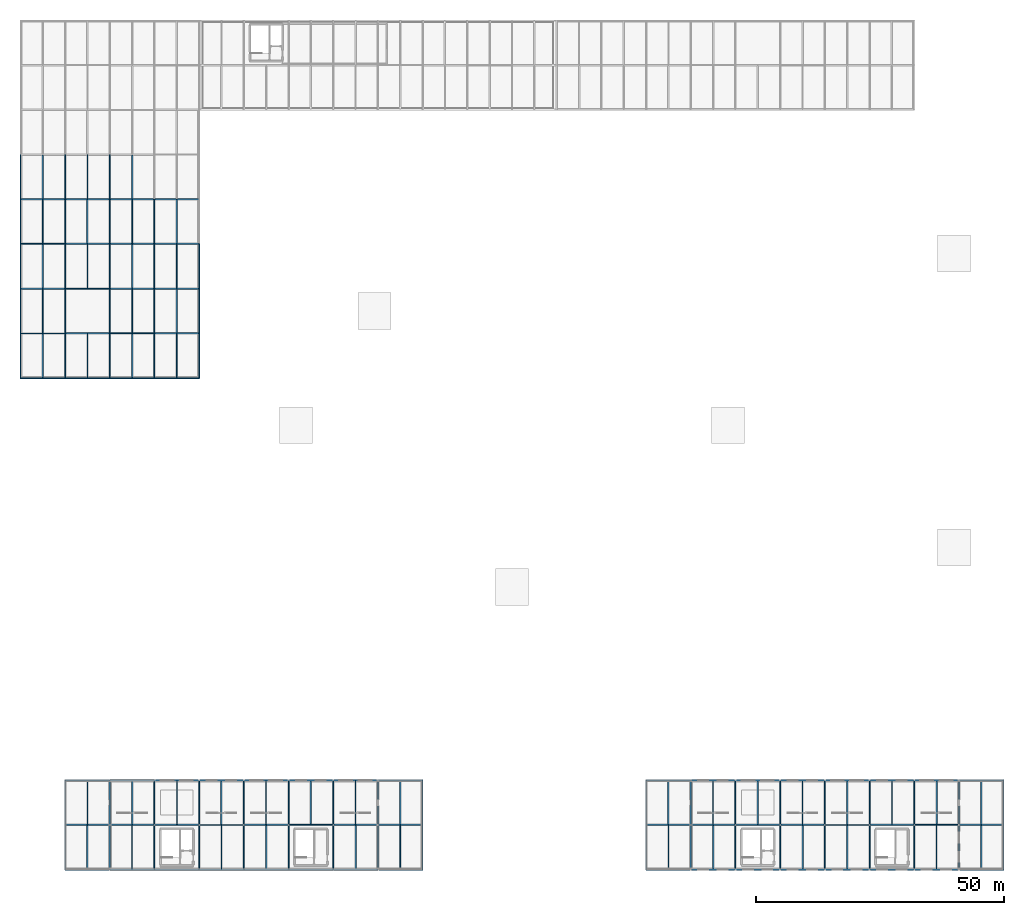
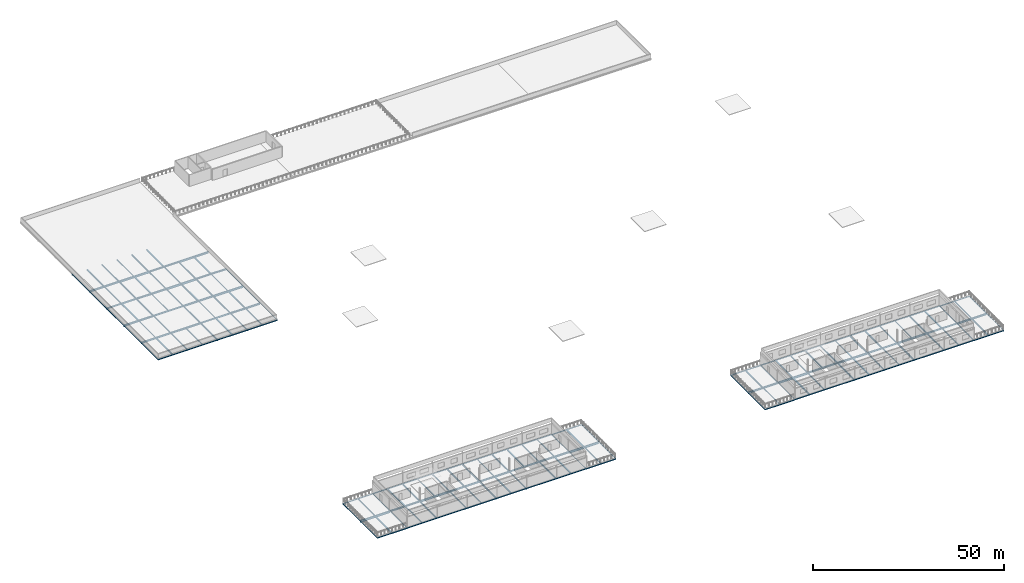
# One storey, part 6 of 18: 172 beams.
"""IFC4 building model written with IfcOpenShell, lengths in metres."""

from ifc_helpers import new_model, si_unit, direction, frame, origin, origin_2d, place, context, subcontext, project, spatial, hollow_rectangle, i_section, extrude, material, material_profile, profile_set, type_object, element, save


model = new_model("IFC4")

# Units and contexts
model_context = context("Model", 3, precision=1e-05, world=origin(), true_north=direction((0.0, 1.0)))
body_context = subcontext(model_context, "Body", "Model", "MODEL_VIEW")
ifc_project = project(units=[si_unit("LENGTHUNIT", "METRE"), si_unit("AREAUNIT", "SQUARE_METRE"), si_unit("VOLUMEUNIT", "CUBIC_METRE"), si_unit("PLANEANGLEUNIT", "RADIAN"), si_unit("MASSUNIT", "GRAM", prefix="KILO")], contexts=[model_context])

# Site, building, storey
site_placement = place(None, origin())
site = spatial("IfcSite", under=ifc_project, at=site_placement, CompositionType="ELEMENT")
building_placement = place(site_placement, origin())
building = spatial("IfcBuilding", under=site, at=building_placement, Name="Kildeholm Park Wholesale Market", CompositionType="ELEMENT")
storey_placement = place(building_placement, frame((0.0, 0.0, 13.5)))
storey = spatial("IfcBuildingStorey", under=building, at=storey_placement, Name="L03", CompositionType="ELEMENT", Elevation=13.5)

# Beams
ifc_material = material(Name="Steel S355", Category="steel")
ifc_material_profile_1 = material_profile(ifc_material, i_section(OverallWidth=0.18994140625, OverallDepth=0.449951171875, WebThickness=0.009521484375, FlangeThickness=0.0146484375, FilletRadius=0.02099609375, at=origin_2d()), Name="IPE 450")
ifc_profile_set_1 = profile_set([ifc_material_profile_1], Name="Steel S355")
beam_type_1 = type_object("IfcBeamType", Name="Beam B-P02 IPE 450", PredefinedType="BEAM", material=ifc_profile_set_1)
for number, where, z_axis, x_axis, name in (
    (1, (9.0, 99.0, -0.5048828125), (0.0, 1.0, 0.0), (-1.0, 0.0, 0.0), "Beam BM-V4-L03-Y-009-099 BM-1188"),
    (2, (9.0, 108.0, -0.5048828125), (0.0, 1.0, 0.0), (-1.0, 0.0, 0.0), "Beam BM-V4-L03-Y-009-108 BM-1191"),
    (3, (9.0, 117.0, -0.5048828125), (0.0, 1.0, 0.0), (-1.0, 0.0, 0.0), "Beam BM-V4-L03-Y-009-117 BM-1193"),
    (4, (9.0, 126.0, -0.5048828125), (0.0, 1.0, 0.0), (-1.0, 0.0, 0.0), "Beam BM-V4-L03-Y-009-126 BM-1196"),
    (5, (9.0, 135.0, -0.5048828125), (0.0, 1.0, 0.0), (-1.0, 0.0, 0.0), "Beam BM-V4-L03-Y-009-135 BM-1199"),
    (6, (18.0, 99.0, -0.5048828125), (0.0, 1.0, 0.0), (-1.0, 0.0, 0.0), "Beam BM-V4-L03-Y-018-099 BM-1212"),
    (7, (18.0, 108.0, -0.5048828125), (0.0, 1.0, 0.0), (-1.0, 0.0, 0.0), "Beam BM-V4-L03-Y-018-108 BM-1215"),
    (8, (18.0, 117.0, -0.5048828125), (0.0, 1.0, 0.0), (-1.0, 0.0, 0.0), "Beam BM-V4-L03-Y-018-117 BM-1218"),
    (9, (18.0, 126.0, -0.5048828125), (0.0, 1.0, 0.0), (-1.0, 0.0, 0.0), "Beam BM-V4-L03-Y-018-126 BM-1221"),
    (10, (18.0, 135.0, -0.5048828125), (0.0, 1.0, 0.0), (-1.0, 0.0, 0.0), "Beam BM-V4-L03-Y-018-135 BM-1224"),
    (11, (27.0, 99.0, -0.5048828125), (0.0, 1.0, 0.0), (-1.0, 0.0, 0.0), "Beam BM-V4-L03-Y-027-099 BM-1237"),
    (12, (27.0, 108.0, -0.5048828125), (0.0, 1.0, 0.0), (-1.0, 0.0, 0.0), "Beam BM-V4-L03-Y-027-108 BM-1240"),
    (13, (27.0, 117.0, -0.5048828125), (0.0, 1.0, 0.0), (-1.0, 0.0, 0.0), "Beam BM-V4-L03-Y-027-117 BM-1243"),
    (14, (27.0, 126.0, -0.5048828125), (0.0, 1.0, 0.0), (-1.0, 0.0, 0.0), "Beam BM-V4-L03-Y-027-126 BM-1246"),
    (15, (27.0, 0.0, -0.465087890625), (0.0, 1.0, 0.0), (-1.0, 0.0, 0.0), "Beam BM-V5W-L03-Y-027-000 BM-1448"),
    (16, (27.0, 9.0, -0.465087890625), (0.0, 1.0, 0.0), (-1.0, 0.0, 0.0), "Beam BM-V5W-L03-Y-027-009 BM-1450"),
    (17, (36.0, 0.0, -0.465087890625), (0.0, 1.0, 0.0), (-1.0, 0.0, 0.0), "Beam BM-V5W-L03-Y-036-000 BM-1454"),
    (18, (36.0, 9.0, -0.465087890625), (0.0, 1.0, 0.0), (-1.0, 0.0, 0.0), "Beam BM-V5W-L03-Y-036-009 BM-1457"),
    (19, (45.0, 0.0, -0.465087890625), (0.0, 1.0, 0.0), (-1.0, 0.0, 0.0), "Beam BM-V5W-L03-Y-045-000 BM-1461"),
    (20, (45.0, 9.0, -0.465087890625), (0.0, 1.0, 0.0), (-1.0, 0.0, 0.0), "Beam BM-V5W-L03-Y-045-009 BM-1464"),
    (21, (54.0, 0.0, -0.465087890625), (0.0, 1.0, 0.0), (-1.0, 0.0, 0.0), "Beam BM-V5W-L03-Y-054-000 BM-1468"),
    (22, (54.0, 9.0, -0.465087890625), (0.0, 1.0, 0.0), (-1.0, 0.0, 0.0), "Beam BM-V5W-L03-Y-054-009 BM-1470"),
    (23, (63.0, 0.0, -0.465087890625), (0.0, 1.0, 0.0), (-1.0, 0.0, 0.0), "Beam BM-V5W-L03-Y-063-000 BM-1474"),
    (24, (63.0, 9.0, -0.465087890625), (0.0, 1.0, 0.0), (-1.0, 0.0, 0.0), "Beam BM-V5W-L03-Y-063-009 BM-1477"),
    (25, (144.0, 0.0, -0.465087890625), (0.0, 1.0, 0.0), (-1.0, 0.0, 0.0), "Beam BM-V5E-L03-Y-144-000 BM-1705"),
    (26, (144.0, 9.0, -0.465087890625), (0.0, 1.0, 0.0), (-1.0, 0.0, 0.0), "Beam BM-V5E-L03-Y-144-009 BM-1707"),
    (27, (153.0, 0.0, -0.465087890625), (0.0, 1.0, 0.0), (-1.0, 0.0, 0.0), "Beam BM-V5E-L03-Y-153-000 BM-1711"),
    (28, (153.0, 9.0, -0.465087890625), (0.0, 1.0, 0.0), (-1.0, 0.0, 0.0), "Beam BM-V5E-L03-Y-153-009 BM-1714"),
    (29, (162.0, 0.0, -0.465087890625), (0.0, 1.0, 0.0), (-1.0, 0.0, 0.0), "Beam BM-V5E-L03-Y-162-000 BM-1718"),
    (30, (162.0, 9.0, -0.465087890625), (0.0, 1.0, 0.0), (-1.0, 0.0, 0.0), "Beam BM-V5E-L03-Y-162-009 BM-1721"),
    (31, (171.0, 0.0, -0.465087890625), (0.0, 1.0, 0.0), (-1.0, 0.0, 0.0), "Beam BM-V5E-L03-Y-171-000 BM-1725"),
    (32, (171.0, 9.0, -0.465087890625), (0.0, 1.0, 0.0), (-1.0, 0.0, 0.0), "Beam BM-V5E-L03-Y-171-009 BM-1727"),
    (33, (180.0, 0.0, -0.465087890625), (0.0, 1.0, 0.0), (-1.0, 0.0, 0.0), "Beam BM-V5E-L03-Y-180-000 BM-1731"),
    (34, (180.0, 9.0, -0.465087890625), (0.0, 1.0, 0.0), (-1.0, 0.0, 0.0), "Beam BM-V5E-L03-Y-180-009 BM-1734"),
):
    element("IfcBeam", number, at=place(storey_placement, frame(where, z_axis=z_axis, x_axis=x_axis)), inside=storey, type_object=beam_type_1, Name=name, PredefinedType="BEAM", context=body_context, shape_type="SweptSolid", body=[
        extrude(i_section(OverallWidth=0.18994140625, OverallDepth=0.449951171875, WebThickness=0.009521484375, FlangeThickness=0.0146484375, FilletRadius=0.02099609375, at=origin_2d()), origin(), (0.0, 0.0, 1.0), 9.0),
    ])
ifc_material_profile_2 = material_profile(ifc_material, i_section(OverallWidth=0.199951171875, OverallDepth=0.5, WebThickness=0.01025390625, FlangeThickness=0.01611328125, FilletRadius=0.02099609375, at=origin_2d()), Name="IPE 500")
ifc_profile_set_2 = profile_set([ifc_material_profile_2], Name="Steel S355")
beam_type_2 = type_object("IfcBeamType", Name="Beam B-P03 IPE 500", PredefinedType="BEAM", material=ifc_profile_set_2)
for number, where, z_axis, x_axis, name in (
    (35, (0.0, 126.0, -0.530029296875), (1.0, 0.0, 0.0), (0.0, 1.0, 0.0), "Beam BM-V4-L03-X-000-126 BM-1171"),
    (36, (9.0, 117.0, -0.530029296875), (1.0, 0.0, 0.0), (0.0, 1.0, 0.0), "Beam BM-V4-L03-X-009-117 BM-1192"),
    (37, (18.0, 108.0, -0.530029296875), (1.0, 0.0, 0.0), (0.0, 1.0, 0.0), "Beam BM-V4-L03-X-018-108 BM-1214"),
    (38, (54.0, 9.0, -0.489990234375), (1.0, 0.0, 0.0), (0.0, 1.0, 0.0), "Beam BM-V5W-L03-X-054-009 BM-1469"),
    (39, (180.0, 9.0, -0.489990234375), (1.0, 0.0, 0.0), (0.0, 1.0, 0.0), "Beam BM-V5E-L03-X-180-009 BM-1733"),
):
    element("IfcBeam", number, at=place(storey_placement, frame(where, z_axis=z_axis, x_axis=x_axis)), inside=storey, type_object=beam_type_2, Name=name, PredefinedType="BEAM", context=body_context, shape_type="SweptSolid", body=[
        extrude(i_section(OverallWidth=0.199951171875, OverallDepth=0.5, WebThickness=0.01025390625, FlangeThickness=0.01611328125, FilletRadius=0.02099609375, at=origin_2d()), origin(), (0.0, 0.0, 1.0), 9.0),
    ])
ifc_material_profile_3 = material_profile(ifc_material, i_section(OverallWidth=0.2099609375, OverallDepth=0.550048828125, WebThickness=0.010986328125, FlangeThickness=0.01708984375, FilletRadius=0.02392578125, at=origin_2d()), Name="IPE 550")
ifc_profile_set_3 = profile_set([ifc_material_profile_3], Name="Steel S355")
beam_type_3 = type_object("IfcBeamType", Name="Beam B-X01 IPE 550", PredefinedType="BEAM", material=ifc_profile_set_3)
for number, where, z_axis, x_axis, name in (
    (40, (0.0, 108.0, -0.554931640625), (1.0, 0.0, 0.0), (0.0, 1.0, 0.0), "Beam BM-V4-L03-X-000-108 BM-1165"),
    (41, (36.0, 9.0, -0.514892578125), (1.0, 0.0, 0.0), (0.0, 1.0, 0.0), "Beam BM-V5W-L03-X-036-009 BM-1456"),
    (42, (162.0, 9.0, -0.514892578125), (1.0, 0.0, 0.0), (0.0, 1.0, 0.0), "Beam BM-V5E-L03-X-162-009 BM-1720"),
):
    element("IfcBeam", number, at=place(storey_placement, frame(where, z_axis=z_axis, x_axis=x_axis)), inside=storey, type_object=beam_type_3, Name=name, PredefinedType="BEAM", context=body_context, shape_type="SweptSolid", body=[
        extrude(i_section(OverallWidth=0.2099609375, OverallDepth=0.550048828125, WebThickness=0.010986328125, FlangeThickness=0.01708984375, FilletRadius=0.02392578125, at=origin_2d()), origin(), (0.0, 0.0, 1.0), 9.0),
    ])
ifc_material_profile_4 = material_profile(ifc_material, i_section(OverallWidth=0.300048828125, OverallDepth=0.5400390625, WebThickness=0.012451171875, FlangeThickness=0.02392578125, FilletRadius=0.027099609375, at=origin_2d()), Name="HEA 550")
ifc_profile_set_4 = profile_set([ifc_material_profile_4], Name="Steel S355")
beam_type_4 = type_object("IfcBeamType", Name="Beam B-X02 HEA 550", PredefinedType="BEAM", material=ifc_profile_set_4)
for number, where, z_axis, x_axis, name in (
    (43, (0.0, 117.0, -0.550048828125), (1.0, 0.0, 0.0), (0.0, 1.0, 0.0), "Beam BM-V4-L03-X-000-117 BM-1168"),
    (44, (9.0, 108.0, -0.550048828125), (1.0, 0.0, 0.0), (0.0, 1.0, 0.0), "Beam BM-V4-L03-X-009-108 BM-1190"),
    (45, (45.0, 9.0, -0.510009765625), (1.0, 0.0, 0.0), (0.0, 1.0, 0.0), "Beam BM-V5W-L03-X-045-009 BM-1463"),
    (46, (171.0, 9.0, -0.510009765625), (1.0, 0.0, 0.0), (0.0, 1.0, 0.0), "Beam BM-V5E-L03-X-171-009 BM-1726"),
):
    element("IfcBeam", number, at=place(storey_placement, frame(where, z_axis=z_axis, x_axis=x_axis)), inside=storey, type_object=beam_type_4, Name=name, PredefinedType="BEAM", context=body_context, shape_type="SweptSolid", body=[
        extrude(i_section(OverallWidth=0.300048828125, OverallDepth=0.5400390625, WebThickness=0.012451171875, FlangeThickness=0.02392578125, FilletRadius=0.027099609375, at=origin_2d()), origin(), (0.0, 0.0, 1.0), 9.0),
    ])
ifc_material_profile_5 = material_profile(ifc_material, i_section(OverallWidth=0.300048828125, OverallDepth=0.550048828125, WebThickness=0.014892578125, FlangeThickness=0.029052734375, FilletRadius=0.027099609375, at=origin_2d()), Name="HEB 550")
ifc_profile_set_5 = profile_set([ifc_material_profile_5], Name="Steel S355")
beam_type_5 = type_object("IfcBeamType", Name="Beam B-X03 HEB 550", PredefinedType="BEAM", material=ifc_profile_set_5)
for number, where, z_axis, x_axis, name in (
    (47, (0.0, 135.0, -0.554931640625), (1.0, 0.0, 0.0), (0.0, 1.0, 0.0), "Beam BM-V4-L03-X-000-135 BM-1174"),
    (48, (9.0, 126.0, -0.554931640625), (1.0, 0.0, 0.0), (0.0, 1.0, 0.0), "Beam BM-V4-L03-X-009-126 BM-1195"),
    (49, (18.0, 117.0, -0.554931640625), (1.0, 0.0, 0.0), (0.0, 1.0, 0.0), "Beam BM-V4-L03-X-018-117 BM-1217"),
    (50, (27.0, 108.0, -0.554931640625), (1.0, 0.0, 0.0), (0.0, 1.0, 0.0), "Beam BM-V4-L03-X-027-108 BM-1239"),
    (51, (63.0, 9.0, -0.514892578125), (1.0, 0.0, 0.0), (0.0, 1.0, 0.0), "Beam BM-V5W-L03-X-063-009 BM-1476"),
    (52, (126.0, 9.0, -0.56494140625), (1.0, 0.0, 0.0), (0.0, 1.0, 0.0), "Beam BM-V5E-L03-X-126-009 BM-1684"),
    (53, (189.0, 9.0, -0.56494140625), (1.0, 0.0, 0.0), (0.0, 1.0, 0.0), "Beam BM-V5E-L03-X-189-009 BM-1693"),
):
    element("IfcBeam", number, at=place(storey_placement, frame(where, z_axis=z_axis, x_axis=x_axis)), inside=storey, type_object=beam_type_5, Name=name, PredefinedType="BEAM", context=body_context, shape_type="SweptSolid", body=[
        extrude(i_section(OverallWidth=0.300048828125, OverallDepth=0.550048828125, WebThickness=0.014892578125, FlangeThickness=0.029052734375, FilletRadius=0.027099609375, at=origin_2d()), origin(), (0.0, 0.0, 1.0), 9.0),
    ])
ifc_material_profile_6 = material_profile(ifc_material, i_section(OverallWidth=0.300048828125, OverallDepth=0.64990234375, WebThickness=0.01611328125, FlangeThickness=0.031005859375, FilletRadius=0.027099609375, at=origin_2d()), Name="HEB 650")
ifc_profile_set_6 = profile_set([ifc_material_profile_6], Name="Steel S355")
beam_type_6 = type_object("IfcBeamType", Name="Beam B-X04 HEB 650", PredefinedType="BEAM", material=ifc_profile_set_6)
for number, where, z_axis, x_axis, name in (
    (54, (9.0, 135.0, -0.60498046875), (1.0, 0.0, 0.0), (0.0, 1.0, 0.0), "Beam BM-V4-L03-X-009-135 BM-1198"),
    (55, (18.0, 126.0, -0.60498046875), (1.0, 0.0, 0.0), (0.0, 1.0, 0.0), "Beam BM-V4-L03-X-018-126 BM-1220"),
    (56, (27.0, 117.0, -0.60498046875), (1.0, 0.0, 0.0), (0.0, 1.0, 0.0), "Beam BM-V4-L03-X-027-117 BM-1242"),
    (57, (9.0, 9.0, -0.614990234375), (1.0, 0.0, 0.0), (0.0, 1.0, 0.0), "Beam BM-V5W-L03-X-009-009 BM-1427"),
    (58, (72.0, 9.0, -0.614990234375), (1.0, 0.0, 0.0), (0.0, 1.0, 0.0), "Beam BM-V5W-L03-X-072-009 BM-1436"),
    (59, (135.0, 9.0, -0.56494140625), (1.0, 0.0, 0.0), (0.0, 1.0, 0.0), "Beam BM-V5E-L03-X-135-009 BM-1701"),
):
    element("IfcBeam", number, at=place(storey_placement, frame(where, z_axis=z_axis, x_axis=x_axis)), inside=storey, type_object=beam_type_6, Name=name, PredefinedType="BEAM", context=body_context, shape_type="SweptSolid", body=[
        extrude(i_section(OverallWidth=0.300048828125, OverallDepth=0.64990234375, WebThickness=0.01611328125, FlangeThickness=0.031005859375, FilletRadius=0.027099609375, at=origin_2d()), origin(), (0.0, 0.0, 1.0), 9.0),
    ])
ifc_material_profile_7 = material_profile(ifc_material, i_section(OverallWidth=0.300048828125, OverallDepth=0.5, WebThickness=0.014404296875, FlangeThickness=0.028076171875, FilletRadius=0.027099609375, at=origin_2d()), Name="HEB 500")
ifc_profile_set_7 = profile_set([ifc_material_profile_7], Name="Steel S355")
beam_type_7 = type_object("IfcBeamType", Name="Beam B-X05 HEB 500", PredefinedType="BEAM", material=ifc_profile_set_7)
for number, where, z_axis, x_axis, name in (
    (60, (18.0, 135.0, -0.530029296875), (1.0, 0.0, 0.0), (0.0, 1.0, 0.0), "Beam BM-V4-L03-X-018-135 BM-1223"),
    (61, (27.0, 126.0, -0.530029296875), (1.0, 0.0, 0.0), (0.0, 1.0, 0.0), "Beam BM-V4-L03-X-027-126 BM-1245"),
    (62, (18.0, 9.0, -0.489990234375), (1.0, 0.0, 0.0), (0.0, 1.0, 0.0), "Beam BM-V5W-L03-X-018-009 BM-1444"),
    (63, (144.0, 9.0, -0.489990234375), (1.0, 0.0, 0.0), (0.0, 1.0, 0.0), "Beam BM-V5E-L03-X-144-009 BM-1706"),
):
    element("IfcBeam", number, at=place(storey_placement, frame(where, z_axis=z_axis, x_axis=x_axis)), inside=storey, type_object=beam_type_7, Name=name, PredefinedType="BEAM", context=body_context, shape_type="SweptSolid", body=[
        extrude(i_section(OverallWidth=0.300048828125, OverallDepth=0.5, WebThickness=0.014404296875, FlangeThickness=0.028076171875, FilletRadius=0.027099609375, at=origin_2d()), origin(), (0.0, 0.0, 1.0), 9.0),
    ])
ifc_material_profile_8 = material_profile(ifc_material, i_section(OverallWidth=0.300048828125, OverallDepth=0.60009765625, WebThickness=0.015380859375, FlangeThickness=0.030029296875, FilletRadius=0.027099609375, at=origin_2d()), Name="HEB 600")
ifc_profile_set_8 = profile_set([ifc_material_profile_8], Name="Steel S355")
beam_type_8 = type_object("IfcBeamType", Name="Beam B-X06 HEB 600", PredefinedType="BEAM", material=ifc_profile_set_8)
for number, where, z_axis, x_axis, name in (
    (64, (27.0, 135.0, -0.580078125), (1.0, 0.0, 0.0), (0.0, 1.0, 0.0), "Beam BM-V4-L03-X-027-135 BM-1248"),
    (65, (27.0, 9.0, -0.5439453125), (1.0, 0.0, 0.0), (0.0, 1.0, 0.0), "Beam BM-V5W-L03-X-027-009 BM-1449"),
    (66, (153.0, 9.0, -0.5439453125), (1.0, 0.0, 0.0), (0.0, 1.0, 0.0), "Beam BM-V5E-L03-X-153-009 BM-1713"),
):
    element("IfcBeam", number, at=place(storey_placement, frame(where, z_axis=z_axis, x_axis=x_axis)), inside=storey, type_object=beam_type_8, Name=name, PredefinedType="BEAM", context=body_context, shape_type="SweptSolid", body=[
        extrude(i_section(OverallWidth=0.300048828125, OverallDepth=0.60009765625, WebThickness=0.015380859375, FlangeThickness=0.030029296875, FilletRadius=0.027099609375, at=origin_2d()), origin(), (0.0, 0.0, 1.0), 9.0),
    ])
ifc_material_profile_9 = material_profile(ifc_material, i_section(OverallWidth=0.1201171875, OverallDepth=0.239990234375, WebThickness=0.006103515625, FlangeThickness=0.009765625, FilletRadius=0.014892578125, at=origin_2d()), Name="IPE 240")
ifc_profile_set_9 = profile_set([ifc_material_profile_9], Name="Steel S355")
beam_type_9 = type_object("IfcBeamType", Name="Beam J-01 IPE 240", PredefinedType="JOIST", material=ifc_profile_set_9)
for number, where, z_axis, x_axis, name in (
    (67, (13.5, 9.0849609375, -0.409912109375), (0.0, 1.0, 0.0), (-1.0, 0.0, 0.0), "Beam JT-V5W-L03-009-009 BM-1429"),
    (68, (76.5, 0.0849609375, -0.409912109375), (0.0, 1.0, 0.0), (-1.0, 0.0, 0.0), "Beam JT-V5W-L03-072-000 BM-1435"),
    (69, (22.5, 0.0849609375, -0.360107421875), (0.0, 1.0, 0.0), (-1.0, 0.0, 0.0), "Beam JT-V5W-L03-018-000 BM-1443"),
    (70, (31.5, 9.0849609375, -0.360107421875), (0.0, 1.0, 0.0), (-1.0, 0.0, 0.0), "Beam JT-V5W-L03-027-009 BM-1451"),
    (71, (40.5, 0.0849609375, -0.360107421875), (0.0, 1.0, 0.0), (-1.0, 0.0, 0.0), "Beam JT-V5W-L03-036-000 BM-1455"),
    (72, (49.5, 9.0849609375, -0.360107421875), (0.0, 1.0, 0.0), (-1.0, 0.0, 0.0), "Beam JT-V5W-L03-045-009 BM-1465"),
    (73, (67.5, 9.0849609375, -0.360107421875), (0.0, 1.0, 0.0), (-1.0, 0.0, 0.0), "Beam JT-V5W-L03-063-009 BM-1478"),
):
    element("IfcBeam", number, at=place(storey_placement, frame(where, z_axis=z_axis, x_axis=x_axis)), inside=storey, type_object=beam_type_9, Name=name, PredefinedType="JOIST", context=body_context, shape_type="SweptSolid", body=[
        extrude(i_section(OverallWidth=0.1201171875, OverallDepth=0.239990234375, WebThickness=0.006103515625, FlangeThickness=0.009765625, FilletRadius=0.014892578125, at=origin_2d()), origin(), (0.0, 0.0, 1.0), 8.830078125),
    ])
ifc_material_profile_10 = material_profile(ifc_material, i_section(OverallWidth=0.159912109375, OverallDepth=0.330078125, WebThickness=0.007568359375, FlangeThickness=0.011474609375, FilletRadius=0.01806640625, at=origin_2d()), Name="IPE 330")
ifc_profile_set_10 = profile_set([ifc_material_profile_10], Name="Steel S355")
beam_type_10 = type_object("IfcBeamType", Name="Beam J-03 IPE 330", PredefinedType="JOIST", material=ifc_profile_set_10)
for number, where, z_axis, x_axis, name in (
    (74, (4.5, 108.0849609375, -0.445068359375), (0.0, 1.0, 0.0), (-1.0, 0.0, 0.0), "Beam JT-V4-L03-000-108 BM-1167"),
    (75, (4.5, 126.0849609375, -0.445068359375), (0.0, 1.0, 0.0), (-1.0, 0.0, 0.0), "Beam JT-V4-L03-000-126 BM-1173"),
    (76, (13.5, 99.0849609375, -0.445068359375), (0.0, 1.0, 0.0), (-1.0, 0.0, 0.0), "Beam JT-V4-L03-009-099 BM-1189"),
    (77, (13.5, 117.0849609375, -0.445068359375), (0.0, 1.0, 0.0), (-1.0, 0.0, 0.0), "Beam JT-V4-L03-009-117 BM-1194"),
    (78, (13.5, 135.0849609375, -0.445068359375), (0.0, 1.0, 0.0), (-1.0, 0.0, 0.0), "Beam JT-V4-L03-009-135 BM-1200"),
    (79, (22.5, 108.0849609375, -0.445068359375), (0.0, 1.0, 0.0), (-1.0, 0.0, 0.0), "Beam JT-V4-L03-018-108 BM-1216"),
    (80, (22.5, 126.0849609375, -0.445068359375), (0.0, 1.0, 0.0), (-1.0, 0.0, 0.0), "Beam JT-V4-L03-018-126 BM-1222"),
    (81, (31.5, 99.0849609375, -0.445068359375), (0.0, 1.0, 0.0), (-1.0, 0.0, 0.0), "Beam JT-V4-L03-027-099 BM-1238"),
    (82, (31.5, 117.0849609375, -0.445068359375), (0.0, 1.0, 0.0), (-1.0, 0.0, 0.0), "Beam JT-V4-L03-027-117 BM-1244"),
):
    element("IfcBeam", number, at=place(storey_placement, frame(where, z_axis=z_axis, x_axis=x_axis)), inside=storey, type_object=beam_type_10, Name=name, PredefinedType="JOIST", context=body_context, shape_type="SweptSolid", body=[
        extrude(i_section(OverallWidth=0.159912109375, OverallDepth=0.330078125, WebThickness=0.007568359375, FlangeThickness=0.011474609375, FilletRadius=0.01806640625, at=origin_2d()), origin(), (0.0, 0.0, 1.0), 8.830078125),
    ])
ifc_material_profile_11 = material_profile(ifc_material, i_section(OverallWidth=0.239990234375, OverallDepth=0.22998046875, WebThickness=0.007568359375, FlangeThickness=0.011962890625, FilletRadius=0.02099609375, at=origin_2d()), Name="HEA 240")
ifc_profile_set_11 = profile_set([ifc_material_profile_11], Name="Steel S355")
beam_type_11 = type_object("IfcBeamType", Name="Beam J-05 HEA 240", PredefinedType="JOIST", material=ifc_profile_set_11)
for number, where, z_axis, x_axis, name in (
    (83, (130.5, 0.0849609375, -0.405029296875), (0.0, 1.0, 0.0), (-1.0, 0.0, 0.0), "Beam JT-V5E-L03-126-000 BM-1683"),
    (84, (193.5, 9.0849609375, -0.405029296875), (0.0, 1.0, 0.0), (-1.0, 0.0, 0.0), "Beam JT-V5E-L03-189-009 BM-1695"),
    (85, (139.5, 9.0849609375, -0.35498046875), (0.0, 1.0, 0.0), (-1.0, 0.0, 0.0), "Beam JT-V5E-L03-135-009 BM-1702"),
    (86, (157.5, 9.0849609375, -0.35498046875), (0.0, 1.0, 0.0), (-1.0, 0.0, 0.0), "Beam JT-V5E-L03-153-009 BM-1715"),
    (87, (166.5, 0.0849609375, -0.35498046875), (0.0, 1.0, 0.0), (-1.0, 0.0, 0.0), "Beam JT-V5E-L03-162-000 BM-1719"),
    (88, (175.5, 9.0849609375, -0.35498046875), (0.0, 1.0, 0.0), (-1.0, 0.0, 0.0), "Beam JT-V5E-L03-171-009 BM-1728"),
    (89, (184.5, 0.0849609375, -0.35498046875), (0.0, 1.0, 0.0), (-1.0, 0.0, 0.0), "Beam JT-V5E-L03-180-000 BM-1732"),
):
    element("IfcBeam", number, at=place(storey_placement, frame(where, z_axis=z_axis, x_axis=x_axis)), inside=storey, type_object=beam_type_11, Name=name, PredefinedType="JOIST", context=body_context, shape_type="SweptSolid", body=[
        extrude(i_section(OverallWidth=0.239990234375, OverallDepth=0.22998046875, WebThickness=0.007568359375, FlangeThickness=0.011962890625, FilletRadius=0.02099609375, at=origin_2d()), origin(), (0.0, 0.0, 1.0), 8.830078125),
    ])
ifc_material_profile_12 = material_profile(ifc_material, i_section(OverallWidth=0.300048828125, OverallDepth=0.389892578125, WebThickness=0.010986328125, FlangeThickness=0.01904296875, FilletRadius=0.027099609375, at=origin_2d()), Name="HEA 400")
ifc_profile_set_12 = profile_set([ifc_material_profile_12], Name="Steel S355")
beam_type_12 = type_object("IfcBeamType", Name="Beam J-06 HEA 400", PredefinedType="JOIST", material=ifc_profile_set_12)
for number, where, z_axis, x_axis, name in (
    (90, (4.5, 99.0849609375, -0.47509765625), (0.0, 1.0, 0.0), (-1.0, 0.0, 0.0), "Beam JT-V4-L03-000-099 BM-1164"),
    (91, (4.5, 117.0849609375, -0.47509765625), (0.0, 1.0, 0.0), (-1.0, 0.0, 0.0), "Beam JT-V4-L03-000-117 BM-1170"),
    (92, (4.5, 135.0849609375, -0.47509765625), (0.0, 1.0, 0.0), (-1.0, 0.0, 0.0), "Beam JT-V4-L03-000-135 BM-1176"),
    (93, (13.5, 126.0849609375, -0.47509765625), (0.0, 1.0, 0.0), (-1.0, 0.0, 0.0), "Beam JT-V4-L03-009-126 BM-1197"),
    (94, (22.5, 99.0849609375, -0.47509765625), (0.0, 1.0, 0.0), (-1.0, 0.0, 0.0), "Beam JT-V4-L03-018-099 BM-1213"),
    (95, (22.5, 117.0849609375, -0.47509765625), (0.0, 1.0, 0.0), (-1.0, 0.0, 0.0), "Beam JT-V4-L03-018-117 BM-1219"),
    (96, (22.5, 135.0849609375, -0.47509765625), (0.0, 1.0, 0.0), (-1.0, 0.0, 0.0), "Beam JT-V4-L03-018-135 BM-1225"),
    (97, (31.5, 108.0849609375, -0.47509765625), (0.0, 1.0, 0.0), (-1.0, 0.0, 0.0), "Beam JT-V4-L03-027-108 BM-1241"),
    (98, (31.5, 126.0849609375, -0.47509765625), (0.0, 1.0, 0.0), (-1.0, 0.0, 0.0), "Beam JT-V4-L03-027-126 BM-1247"),
    (99, (13.5, 0.0849609375, -0.485107421875), (0.0, 1.0, 0.0), (-1.0, 0.0, 0.0), "Beam JT-V5W-L03-009-000 BM-1426"),
    (100, (76.5, 9.0849609375, -0.485107421875), (0.0, 1.0, 0.0), (-1.0, 0.0, 0.0), "Beam JT-V5W-L03-072-009 BM-1438"),
    (101, (22.5, 9.0849609375, -0.43505859375), (0.0, 1.0, 0.0), (-1.0, 0.0, 0.0), "Beam JT-V5W-L03-018-009 BM-1445"),
    (102, (40.5, 9.0849609375, -0.43505859375), (0.0, 1.0, 0.0), (-1.0, 0.0, 0.0), "Beam JT-V5W-L03-036-009 BM-1458"),
    (103, (49.5, 0.0849609375, -0.43505859375), (0.0, 1.0, 0.0), (-1.0, 0.0, 0.0), "Beam JT-V5W-L03-045-000 BM-1462"),
    (104, (58.5, 9.0849609375, -0.43505859375), (0.0, 1.0, 0.0), (-1.0, 0.0, 0.0), "Beam JT-V5W-L03-054-009 BM-1471"),
    (105, (67.5, 0.0849609375, -0.43505859375), (0.0, 1.0, 0.0), (-1.0, 0.0, 0.0), "Beam JT-V5W-L03-063-000 BM-1475"),
    (106, (130.5, 9.0849609375, -0.485107421875), (0.0, 1.0, 0.0), (-1.0, 0.0, 0.0), "Beam JT-V5E-L03-126-009 BM-1686"),
    (107, (193.5, 0.0849609375, -0.485107421875), (0.0, 1.0, 0.0), (-1.0, 0.0, 0.0), "Beam JT-V5E-L03-189-000 BM-1692"),
    (108, (139.5, 0.0849609375, -0.43505859375), (0.0, 1.0, 0.0), (-1.0, 0.0, 0.0), "Beam JT-V5E-L03-135-000 BM-1700"),
    (109, (148.5, 9.0849609375, -0.43505859375), (0.0, 1.0, 0.0), (-1.0, 0.0, 0.0), "Beam JT-V5E-L03-144-009 BM-1708"),
    (110, (157.5, 0.0849609375, -0.43505859375), (0.0, 1.0, 0.0), (-1.0, 0.0, 0.0), "Beam JT-V5E-L03-153-000 BM-1712"),
    (111, (166.5, 9.0849609375, -0.43505859375), (0.0, 1.0, 0.0), (-1.0, 0.0, 0.0), "Beam JT-V5E-L03-162-009 BM-1722"),
    (112, (184.5, 9.0849609375, -0.43505859375), (0.0, 1.0, 0.0), (-1.0, 0.0, 0.0), "Beam JT-V5E-L03-180-009 BM-1735"),
):
    element("IfcBeam", number, at=place(storey_placement, frame(where, z_axis=z_axis, x_axis=x_axis)), inside=storey, type_object=beam_type_12, Name=name, PredefinedType="JOIST", context=body_context, shape_type="SweptSolid", body=[
        extrude(i_section(OverallWidth=0.300048828125, OverallDepth=0.389892578125, WebThickness=0.010986328125, FlangeThickness=0.01904296875, FilletRadius=0.027099609375, at=origin_2d()), origin(), (0.0, 0.0, 1.0), 8.830078125),
    ])
ifc_material_profile_13 = material_profile(ifc_material, hollow_rectangle(XDim=0.199951171875, YDim=0.300048828125, WallThickness=0.012451171875, InnerFilletRadius=0.012451171875, OuterFilletRadius=0.02490234375, at=origin_2d()), Name="RHS 300x200x12.5")
ifc_profile_set_13 = profile_set([ifc_material_profile_13], Name="Steel S355")
beam_type_13 = type_object("IfcBeamType", Name="Beam SP-01 RHS 300x200x12.5", PredefinedType="SPANDREL", material=ifc_profile_set_13)
for number, where, z_axis, x_axis, name in (
    (113, (0.0, 99.0, -0.429931640625), (1.0, 0.0, 0.0), (0.0, 1.0, 0.0), "Beam BM-V4-L03-X-000-099 BM-1162"),
    (114, (9.0, 99.0, -0.429931640625), (1.0, 0.0, 0.0), (0.0, 1.0, 0.0), "Beam BM-V4-L03-X-009-099 BM-1187"),
    (115, (18.0, 99.0, -0.429931640625), (1.0, 0.0, 0.0), (0.0, 1.0, 0.0), "Beam BM-V4-L03-X-018-099 BM-1211"),
    (116, (27.0, 99.0, -0.429931640625), (1.0, 0.0, 0.0), (0.0, 1.0, 0.0), "Beam BM-V4-L03-X-027-099 BM-1236"),
    (117, (9.0, 0.0, -0.43994140625), (1.0, 0.0, 0.0), (0.0, 1.0, 0.0), "Beam BM-V5W-L03-X-009-000 BM-1424"),
    (118, (9.0, 18.0, -0.43994140625), (1.0, 0.0, 0.0), (0.0, 1.0, 0.0), "Beam BM-V5W-L03-X-009-018 BM-1430"),
    (119, (72.0, 0.0, -0.43994140625), (1.0, 0.0, 0.0), (0.0, 1.0, 0.0), "Beam BM-V5W-L03-X-072-000 BM-1433"),
    (120, (72.0, 18.0, -0.43994140625), (1.0, 0.0, 0.0), (0.0, 1.0, 0.0), "Beam BM-V5W-L03-X-072-018 BM-1439"),
    (121, (18.0, 0.0, -0.389892578125), (1.0, 0.0, 0.0), (0.0, 1.0, 0.0), "Beam BM-V5W-L03-X-018-000 BM-1442"),
    (122, (18.0, 18.0, -0.389892578125), (1.0, 0.0, 0.0), (0.0, 1.0, 0.0), "Beam BM-V5W-L03-X-018-018 BM-1446"),
    (123, (27.0, 0.0, -0.389892578125), (1.0, 0.0, 0.0), (0.0, 1.0, 0.0), "Beam BM-V5W-L03-X-027-000 BM-1447"),
    (124, (27.0, 18.0, -0.389892578125), (1.0, 0.0, 0.0), (0.0, 1.0, 0.0), "Beam BM-V5W-L03-X-027-018 BM-1452"),
    (125, (36.0, 0.0, -0.389892578125), (1.0, 0.0, 0.0), (0.0, 1.0, 0.0), "Beam BM-V5W-L03-X-036-000 BM-1453"),
    (126, (36.0, 18.0, -0.389892578125), (1.0, 0.0, 0.0), (0.0, 1.0, 0.0), "Beam BM-V5W-L03-X-036-018 BM-1459"),
    (127, (45.0, 0.0, -0.389892578125), (1.0, 0.0, 0.0), (0.0, 1.0, 0.0), "Beam BM-V5W-L03-X-045-000 BM-1460"),
    (128, (45.0, 18.0, -0.389892578125), (1.0, 0.0, 0.0), (0.0, 1.0, 0.0), "Beam BM-V5W-L03-X-045-018 BM-1466"),
    (129, (54.0, 0.0, -0.389892578125), (1.0, 0.0, 0.0), (0.0, 1.0, 0.0), "Beam BM-V5W-L03-X-054-000 BM-1467"),
    (130, (54.0, 18.0, -0.389892578125), (1.0, 0.0, 0.0), (0.0, 1.0, 0.0), "Beam BM-V5W-L03-X-054-018 BM-1472"),
    (131, (63.0, 0.0, -0.389892578125), (1.0, 0.0, 0.0), (0.0, 1.0, 0.0), "Beam BM-V5W-L03-X-063-000 BM-1473"),
    (132, (63.0, 18.0, -0.389892578125), (1.0, 0.0, 0.0), (0.0, 1.0, 0.0), "Beam BM-V5W-L03-X-063-018 BM-1479"),
    (133, (126.0, 0.0, -0.43994140625), (1.0, 0.0, 0.0), (0.0, 1.0, 0.0), "Beam BM-V5E-L03-X-126-000 BM-1681"),
    (134, (126.0, 18.0, -0.43994140625), (1.0, 0.0, 0.0), (0.0, 1.0, 0.0), "Beam BM-V5E-L03-X-126-018 BM-1687"),
    (135, (189.0, 0.0, -0.43994140625), (1.0, 0.0, 0.0), (0.0, 1.0, 0.0), "Beam BM-V5E-L03-X-189-000 BM-1690"),
    (136, (189.0, 18.0, -0.43994140625), (1.0, 0.0, 0.0), (0.0, 1.0, 0.0), "Beam BM-V5E-L03-X-189-018 BM-1696"),
    (137, (135.0, 0.0, -0.389892578125), (1.0, 0.0, 0.0), (0.0, 1.0, 0.0), "Beam BM-V5E-L03-X-135-000 BM-1699"),
    (138, (135.0, 18.0, -0.389892578125), (1.0, 0.0, 0.0), (0.0, 1.0, 0.0), "Beam BM-V5E-L03-X-135-018 BM-1703"),
    (139, (144.0, 0.0, -0.389892578125), (1.0, 0.0, 0.0), (0.0, 1.0, 0.0), "Beam BM-V5E-L03-X-144-000 BM-1704"),
    (140, (144.0, 18.0, -0.389892578125), (1.0, 0.0, 0.0), (0.0, 1.0, 0.0), "Beam BM-V5E-L03-X-144-018 BM-1709"),
    (141, (153.0, 0.0, -0.389892578125), (1.0, 0.0, 0.0), (0.0, 1.0, 0.0), "Beam BM-V5E-L03-X-153-000 BM-1710"),
    (142, (153.0, 18.0, -0.389892578125), (1.0, 0.0, 0.0), (0.0, 1.0, 0.0), "Beam BM-V5E-L03-X-153-018 BM-1716"),
    (143, (162.0, 0.0, -0.389892578125), (1.0, 0.0, 0.0), (0.0, 1.0, 0.0), "Beam BM-V5E-L03-X-162-000 BM-1717"),
    (144, (162.0, 18.0, -0.389892578125), (1.0, 0.0, 0.0), (0.0, 1.0, 0.0), "Beam BM-V5E-L03-X-162-018 BM-1723"),
    (145, (171.0, 0.0, -0.389892578125), (1.0, 0.0, 0.0), (0.0, 1.0, 0.0), "Beam BM-V5E-L03-X-171-000 BM-1724"),
    (146, (171.0, 18.0, -0.389892578125), (1.0, 0.0, 0.0), (0.0, 1.0, 0.0), "Beam BM-V5E-L03-X-171-018 BM-1729"),
    (147, (180.0, 0.0, -0.389892578125), (1.0, 0.0, 0.0), (0.0, 1.0, 0.0), "Beam BM-V5E-L03-X-180-000 BM-1730"),
    (148, (180.0, 18.0, -0.389892578125), (1.0, 0.0, 0.0), (0.0, 1.0, 0.0), "Beam BM-V5E-L03-X-180-018 BM-1736"),
):
    element("IfcBeam", number, at=place(storey_placement, frame(where, z_axis=z_axis, x_axis=x_axis)), inside=storey, type_object=beam_type_13, Name=name, PredefinedType="SPANDREL", context=body_context, shape_type="SweptSolid", body=[
        extrude(hollow_rectangle(XDim=0.199951171875, YDim=0.300048828125, WallThickness=0.012451171875, InnerFilletRadius=0.012451171875, OuterFilletRadius=0.02490234375, at=origin_2d()), origin(), (0.0, 0.0, 1.0), 9.0),
    ])
ifc_material_profile_14 = material_profile(ifc_material, hollow_rectangle(XDim=0.14990234375, YDim=0.25, WallThickness=0.010009765625, InnerFilletRadius=0.010009765625, OuterFilletRadius=0.02001953125, at=origin_2d()), Name="RHS 250x150x10")
ifc_profile_set_14 = profile_set([ifc_material_profile_14], Name="Steel S355")
beam_type_14 = type_object("IfcBeamType", Name="Beam SP-02 RHS 250x150x10", PredefinedType="SPANDREL", material=ifc_profile_set_14)
for number, where, z_axis, x_axis, name in (
    (149, (0.0, 99.0, -0.405029296875), (0.0, 1.0, 0.0), (-1.0, 0.0, 0.0), "Beam BM-V4-L03-Y-000-099 BM-1163"),
    (150, (0.0, 108.0, -0.405029296875), (0.0, 1.0, 0.0), (-1.0, 0.0, 0.0), "Beam BM-V4-L03-Y-000-108 BM-1166"),
    (151, (0.0, 117.0, -0.405029296875), (0.0, 1.0, 0.0), (-1.0, 0.0, 0.0), "Beam BM-V4-L03-Y-000-117 BM-1169"),
    (152, (0.0, 126.0, -0.405029296875), (0.0, 1.0, 0.0), (-1.0, 0.0, 0.0), "Beam BM-V4-L03-Y-000-126 BM-1172"),
    (153, (0.0, 135.0, -0.405029296875), (0.0, 1.0, 0.0), (-1.0, 0.0, 0.0), "Beam BM-V4-L03-Y-000-135 BM-1175"),
    (154, (36.0, 99.0, -0.405029296875), (0.0, 1.0, 0.0), (-1.0, 0.0, 0.0), "Beam BM-V4-L03-Y-036-099 BM-1261"),
    (155, (36.0, 108.0, -0.405029296875), (0.0, 1.0, 0.0), (-1.0, 0.0, 0.0), "Beam BM-V4-L03-Y-036-108 BM-1262"),
    (156, (36.0, 117.0, -0.405029296875), (0.0, 1.0, 0.0), (-1.0, 0.0, 0.0), "Beam BM-V4-L03-Y-036-117 BM-1263"),
    (157, (9.0, 0.0, -0.4150390625), (0.0, 1.0, 0.0), (-1.0, 0.0, 0.0), "Beam BM-V5W-L03-Y-009-000 BM-1425"),
    (158, (9.0, 9.0, -0.4150390625), (0.0, 1.0, 0.0), (-1.0, 0.0, 0.0), "Beam BM-V5W-L03-Y-009-009 BM-1428"),
    (159, (18.0, 0.0, -0.4150390625), (0.0, 1.0, 0.0), (-1.0, 0.0, 0.0), "Beam BM-V5W-L03-Y-018-000 BM-1431"),
    (160, (18.0, 9.0, -0.4150390625), (0.0, 1.0, 0.0), (-1.0, 0.0, 0.0), "Beam BM-V5W-L03-Y-018-009 BM-1432"),
    (161, (72.0, 0.0, -0.4150390625), (0.0, 1.0, 0.0), (-1.0, 0.0, 0.0), "Beam BM-V5W-L03-Y-072-000 BM-1434"),
    (162, (72.0, 9.0, -0.4150390625), (0.0, 1.0, 0.0), (-1.0, 0.0, 0.0), "Beam BM-V5W-L03-Y-072-009 BM-1437"),
    (163, (81.0, 0.0, -0.4150390625), (0.0, 1.0, 0.0), (-1.0, 0.0, 0.0), "Beam BM-V5W-L03-Y-081-000 BM-1440"),
    (164, (81.0, 9.0, -0.4150390625), (0.0, 1.0, 0.0), (-1.0, 0.0, 0.0), "Beam BM-V5W-L03-Y-081-009 BM-1441"),
    (165, (126.0, 0.0, -0.4150390625), (0.0, 1.0, 0.0), (-1.0, 0.0, 0.0), "Beam BM-V5E-L03-Y-126-000 BM-1682"),
    (166, (126.0, 9.0, -0.4150390625), (0.0, 1.0, 0.0), (-1.0, 0.0, 0.0), "Beam BM-V5E-L03-Y-126-009 BM-1685"),
    (167, (135.0, 0.0, -0.4150390625), (0.0, 1.0, 0.0), (-1.0, 0.0, 0.0), "Beam BM-V5E-L03-Y-135-000 BM-1688"),
    (168, (135.0, 9.0, -0.4150390625), (0.0, 1.0, 0.0), (-1.0, 0.0, 0.0), "Beam BM-V5E-L03-Y-135-009 BM-1689"),
    (169, (189.0, 0.0, -0.4150390625), (0.0, 1.0, 0.0), (-1.0, 0.0, 0.0), "Beam BM-V5E-L03-Y-189-000 BM-1691"),
    (170, (189.0, 9.0, -0.4150390625), (0.0, 1.0, 0.0), (-1.0, 0.0, 0.0), "Beam BM-V5E-L03-Y-189-009 BM-1694"),
    (171, (198.0, 0.0, -0.4150390625), (0.0, 1.0, 0.0), (-1.0, 0.0, 0.0), "Beam BM-V5E-L03-Y-198-000 BM-1697"),
    (172, (198.0, 9.0, -0.4150390625), (0.0, 1.0, 0.0), (-1.0, 0.0, 0.0), "Beam BM-V5E-L03-Y-198-009 BM-1698"),
):
    element("IfcBeam", number, at=place(storey_placement, frame(where, z_axis=z_axis, x_axis=x_axis)), inside=storey, type_object=beam_type_14, Name=name, PredefinedType="SPANDREL", context=body_context, shape_type="SweptSolid", body=[
        extrude(hollow_rectangle(XDim=0.14990234375, YDim=0.25, WallThickness=0.010009765625, InnerFilletRadius=0.010009765625, OuterFilletRadius=0.02001953125, at=origin_2d()), origin(), (0.0, 0.0, 1.0), 9.0),
    ])

save(model, "model.ifc")
